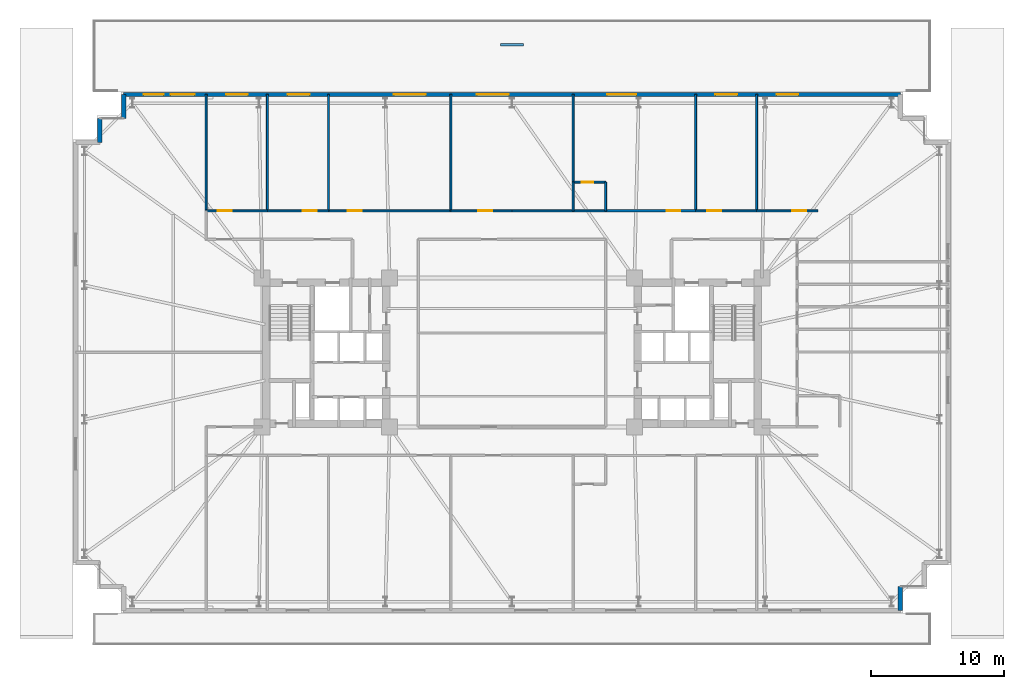
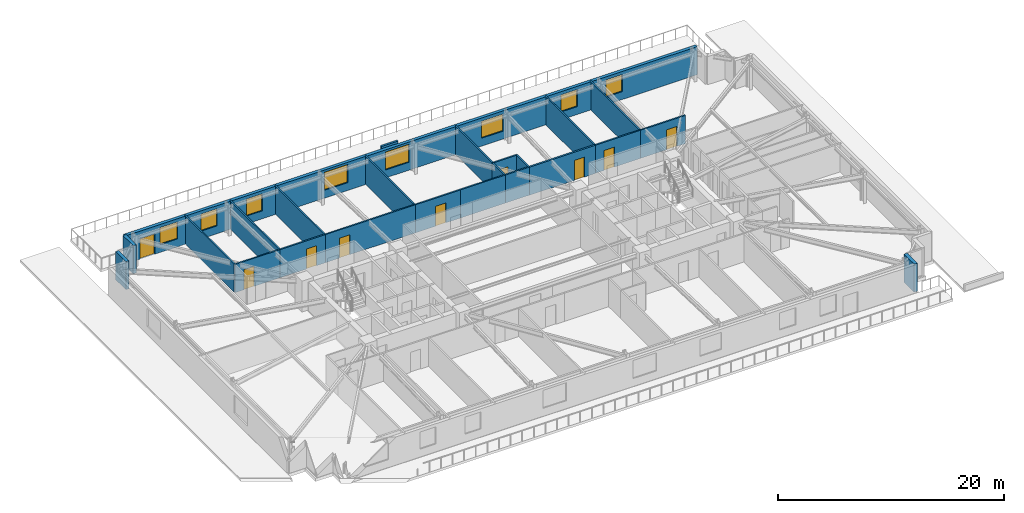
# One storey, part 15 of 21: 24 walls, 9 doors, 8 windows, 17 openings.
"""IFC4 building model written with IfcOpenShell, lengths in metres."""

from ifc_helpers import new_model, si_unit, direction, frame, frame_2d, origin, place, context, subcontext, project, spatial, rectangle, extrude, material, layer, layer_set, type_object, element, fill, save


model = new_model("IFC4")

# Units and contexts
model_context = context("Model", 3, precision=1e-05, world=origin(), true_north=direction((0.0, 1.0)))
body_context = subcontext(model_context, "Body", "Model", "MODEL_VIEW")
ifc_project = project(units=[si_unit("LENGTHUNIT", "METRE"), si_unit("AREAUNIT", "SQUARE_METRE"), si_unit("VOLUMEUNIT", "CUBIC_METRE"), si_unit("PLANEANGLEUNIT", "RADIAN"), si_unit("MASSUNIT", "GRAM", prefix="KILO")], contexts=[model_context])

# Site, building, storey
site_placement = place(None, origin())
site = spatial("IfcSite", under=ifc_project, at=site_placement, CompositionType="ELEMENT")
building_placement = place(site_placement, origin())
building = spatial("IfcBuilding", under=site, at=building_placement, Name="Qobustan Lattice House", CompositionType="ELEMENT")
storey_placement = place(building_placement, frame((0.0, 0.0, 27.0)))
storey = spatial("IfcBuildingStorey", under=building, at=storey_placement, Name="L06", CompositionType="ELEMENT", Elevation=27.0)

# Walls
ifc_material_1 = material(Name="Precast concrete C40/50", Category="concrete")
ifc_layer_1 = layer(ifc_material_1, 0.320068359375)
ifc_layer_set_1 = layer_set([ifc_layer_1], Name="Precast concrete C40/50")
wall_type_1 = type_object("IfcWallType", Name="WAL-EXT-STONE-320", PredefinedType="SOLIDWALL", material=ifc_layer_set_1)
wall_1_placement = place(storey_placement, frame((-31.0, 15.800048828125, 0.0), z_axis=(0.0, 0.0, 1.0), x_axis=(0.0, 1.0, 0.0)))
element("IfcWall", 1, at=wall_1_placement, inside=storey, type_object=wall_type_1, Name="L06 exterior limestone-clad wall 7", PredefinedType="SOLIDWALL", context=body_context, shape_type="SweptSolid", body=[
    extrude(rectangle(XDim=1.800048828125, YDim=0.320068359375, at=frame_2d((0.89990234375, 0.0))), origin(), (0.0, 0.0, 1.0), 3.034912109375),
])
wall_2_placement = place(storey_placement, frame((-29.199951171875, 17.60009765625, 0.0), z_axis=(0.0, 0.0, 1.0), x_axis=(0.0, 1.0, 0.0)))
element("IfcWall", 2, at=wall_2_placement, inside=storey, type_object=wall_type_1, Name="L06 exterior limestone-clad wall 9", PredefinedType="SOLIDWALL", context=body_context, shape_type="SweptSolid", body=[
    extrude(rectangle(XDim=1.7998046875, YDim=0.320068359375, at=frame_2d((0.89990234375, 0.0))), origin(), (0.0, 0.0, 1.0), 3.034912109375),
])

# Wall, openings, door, windows
wall_3_placement = place(storey_placement, frame((-29.199951171875, 19.39990234375, 0.0), z_axis=(0.0, 0.0, 1.0), x_axis=(1.0, 0.0, 0.0)))
wall_3 = element("IfcWall", 3, at=wall_3_placement, inside=storey, type_object=wall_type_1, Name="L06 exterior limestone-clad wall 10", PredefinedType="SOLIDWALL", context=body_context, shape_type="SweptSolid", body=[
    extrude(rectangle(XDim=58.39990234375, YDim=0.320068359375, at=frame_2d((29.199951171875, 0.0))), origin(), (0.0, 0.0, 1.0), 3.034912109375),
])
opening_1_placement = place(wall_3_placement, frame((1.5, 0.0, 0.0)))
opening_1 = element("IfcOpeningElement", 4, at=opening_1_placement, cuts=wall_3, Name="Opening TD-02", PredefinedType="OPENING", context=body_context, shape_type="SweptSolid", body=[
    extrude(rectangle(XDim=1.5, YDim=2.199951171875, at=frame_2d((0.75, 1.10009765625))), frame((0.0, 0.169921875, 0.0), z_axis=(0.0, -1.0, 0.0), x_axis=(1.0, 0.0, 0.0)), (0.0, 0.0, 1.0), 0.340087890625),
])
opening_2_placement = place(wall_3_placement, frame((3.531005859375, 0.0, 0.85009765625)))
opening_2 = element("IfcOpeningElement", 5, at=opening_2_placement, cuts=wall_3, Name="Opening WN-02", PredefinedType="OPENING", context=body_context, shape_type="SweptSolid", body=[
    extrude(rectangle(XDim=1.800048828125, YDim=1.85009765625, at=frame_2d((0.89990234375, 0.925048828125))), frame((0.0, 0.169921875, 0.0), z_axis=(0.0, -1.0, 0.0), x_axis=(1.0, 0.0, 0.0)), (0.0, 0.0, 1.0), 0.340087890625),
])
opening_3_placement = place(wall_3_placement, frame((7.695068359375, 0.0, 0.85009765625)))
opening_3 = element("IfcOpeningElement", 6, at=opening_3_placement, cuts=wall_3, Name="Opening WN-09", PredefinedType="OPENING", context=body_context, shape_type="SweptSolid", body=[
    extrude(rectangle(XDim=1.64990234375, YDim=1.85009765625, at=frame_2d((0.824951171875, 0.925048828125))), frame((0.0, 0.169921875, 0.0), z_axis=(0.0, -1.0, 0.0), x_axis=(1.0, 0.0, 0.0)), (0.0, 0.0, 1.0), 0.340087890625),
])
opening_4_placement = place(wall_3_placement, frame((12.3349609375, 0.0, 0.85009765625)))
opening_4 = element("IfcOpeningElement", 7, at=opening_4_placement, cuts=wall_3, Name="Opening WN-09", PredefinedType="OPENING", context=body_context, shape_type="SweptSolid", body=[
    extrude(rectangle(XDim=1.64990234375, YDim=1.85009765625, at=frame_2d((0.824951171875, 0.925048828125))), frame((0.0, 0.169921875, 0.0), z_axis=(0.0, -1.0, 0.0), x_axis=(1.0, 0.0, 0.0)), (0.0, 0.0, 1.0), 0.340087890625),
])
opening_5_placement = place(wall_3_placement, frame((20.31494140625, 0.0, 0.85009765625)))
opening_5 = element("IfcOpeningElement", 8, at=opening_5_placement, cuts=wall_3, Name="Opening WN-10", PredefinedType="OPENING", context=body_context, shape_type="SweptSolid", body=[
    extrude(rectangle(XDim=2.39990234375, YDim=1.949951171875, at=frame_2d((1.199951171875, 0.97509765625))), frame((0.0, 0.169921875, 0.0), z_axis=(0.0, -1.0, 0.0), x_axis=(1.0, 0.0, 0.0)), (0.0, 0.0, 1.0), 0.340087890625),
])
opening_6_placement = place(wall_3_placement, frame((26.56494140625, 0.0, 0.85009765625)))
opening_6 = element("IfcOpeningElement", 9, at=opening_6_placement, cuts=wall_3, Name="Opening WN-10", PredefinedType="OPENING", context=body_context, shape_type="SweptSolid", body=[
    extrude(rectangle(XDim=2.39990234375, YDim=1.949951171875, at=frame_2d((1.199951171875, 0.97509765625))), frame((0.0, 0.169921875, 0.0), z_axis=(0.0, -1.0, 0.0), x_axis=(1.0, 0.0, 0.0)), (0.0, 0.0, 1.0), 0.340087890625),
])
opening_7_placement = place(wall_3_placement, frame((36.35595703125, 0.0, 0.85009765625)))
opening_7 = element("IfcOpeningElement", 10, at=opening_7_placement, cuts=wall_3, Name="Opening WN-03", PredefinedType="OPENING", context=body_context, shape_type="SweptSolid", body=[
    extrude(rectangle(XDim=2.199951171875, YDim=1.85009765625, at=frame_2d((1.10009765625, 0.925048828125))), frame((0.0, 0.169921875, 0.0), z_axis=(0.0, -1.0, 0.0), x_axis=(1.0, 0.0, 0.0)), (0.0, 0.0, 1.0), 0.340087890625),
])
opening_8_placement = place(wall_3_placement, frame((44.4951171875, 0.0, 0.85009765625)))
opening_8 = element("IfcOpeningElement", 11, at=opening_8_placement, cuts=wall_3, Name="Opening WN-09", PredefinedType="OPENING", context=body_context, shape_type="SweptSolid", body=[
    extrude(rectangle(XDim=1.64990234375, YDim=1.85009765625, at=frame_2d((0.824951171875, 0.925048828125))), frame((0.0, 0.169921875, 0.0), z_axis=(0.0, -1.0, 0.0), x_axis=(1.0, 0.0, 0.0)), (0.0, 0.0, 1.0), 0.340087890625),
])
opening_9_placement = place(wall_3_placement, frame((49.094970703125, 0.0, 0.85009765625)))
opening_9 = element("IfcOpeningElement", 12, at=opening_9_placement, cuts=wall_3, Name="Opening WN-09", PredefinedType="OPENING", context=body_context, shape_type="SweptSolid", body=[
    extrude(rectangle(XDim=1.64990234375, YDim=1.85009765625, at=frame_2d((0.824951171875, 0.925048828125))), frame((0.0, 0.169921875, 0.0), z_axis=(0.0, -1.0, 0.0), x_axis=(1.0, 0.0, 0.0)), (0.0, 0.0, 1.0), 0.340087890625),
])
ifc_material_2 = material(Name="Thermally broken anodised aluminium glazed door", Category="aluminium")
door_type_1 = type_object("IfcDoorType", Name="DOR-EXT-GARD-1500x2200", OperationType="NOTDEFINED", PredefinedType="DOOR", material=ifc_material_2)
door_1_placement = place(opening_1_placement, origin())
door_1 = element("IfcDoor", 13, at=door_1_placement, inside=storey, type_object=door_type_1, Name="L06 outdoor terrace access door", OperationType="SINGLE_SWING_LEFT", OverallHeight=2.199951171875, OverallWidth=1.5, PredefinedType="DOOR", context=body_context, shape_type="SweptSolid", body=[
    extrude(rectangle(XDim=1.5, YDim=2.199951171875, at=frame_2d((0.75, 1.10009765625))), frame((0.0, 0.02490234375, 0.0), z_axis=(0.0, -1.0, 0.0), x_axis=(1.0, 0.0, 0.0)), (0.0, 0.0, 1.0), 0.050048828125),
])
fill(opening_1, door_1)
ifc_material_3 = material(Name="Double-glazed low-E aluminium window", Category="aluminium")
window_type_1 = type_object("IfcWindowType", Name="WIN-LNG-2400x1950", PartitioningType="SINGLE_PANEL", PredefinedType="WINDOW", material=ifc_material_3)
window_1_placement = place(opening_5_placement, origin())
window_1 = element("IfcWindow", 14, at=window_1_placement, inside=storey, type_object=window_type_1, Name="L06 Sky terrace lounge N2 window", OverallHeight=1.949951171875, OverallWidth=2.39990234375, PartitioningType="SINGLE_PANEL", PredefinedType="WINDOW", context=body_context, shape_type="SweptSolid", body=[
    extrude(rectangle(XDim=2.39990234375, YDim=1.949951171875, at=frame_2d((1.199951171875, 0.97509765625))), frame((0.0, 0.030029296875, 0.0), z_axis=(0.0, -1.0, 0.0), x_axis=(1.0, 0.0, 0.0)), (0.0, 0.0, 1.0), 0.06005859375),
])
fill(opening_5, window_1)
window_2_placement = place(opening_6_placement, origin())
window_2 = element("IfcWindow", 15, at=window_2_placement, inside=storey, type_object=window_type_1, Name="L06 Garden terrace reading salon N3 window", OverallHeight=1.949951171875, OverallWidth=2.39990234375, PartitioningType="SINGLE_PANEL", PredefinedType="WINDOW", context=body_context, shape_type="SweptSolid", body=[
    extrude(rectangle(XDim=2.39990234375, YDim=1.949951171875, at=frame_2d((1.199951171875, 0.97509765625))), frame((0.0, 0.030029296875, 0.0), z_axis=(0.0, -1.0, 0.0), x_axis=(1.0, 0.0, 0.0)), (0.0, 0.0, 1.0), 0.06005859375),
])
fill(opening_6, window_2)
ifc_material_4 = material(Name="Double-glazed low-E aluminium window", Category="aluminium")
window_type_2 = type_object("IfcWindowType", Name="WIN-STD-1800x1850", PartitioningType="SINGLE_PANEL", PredefinedType="WINDOW", material=ifc_material_4)
window_3_placement = place(opening_2_placement, origin())
window_3 = element("IfcWindow", 16, at=window_3_placement, inside=storey, type_object=window_type_2, Name="L06 Chahar-bagh north lounge window", OverallHeight=1.85009765625, OverallWidth=1.800048828125, PartitioningType="SINGLE_PANEL", PredefinedType="WINDOW", context=body_context, shape_type="SweptSolid", body=[
    extrude(rectangle(XDim=1.800048828125, YDim=1.85009765625, at=frame_2d((0.89990234375, 0.925048828125))), frame((0.0, 0.030029296875, 0.0), z_axis=(0.0, -1.0, 0.0), x_axis=(1.0, 0.0, 0.0)), (0.0, 0.0, 1.0), 0.06005859375),
])
fill(opening_2, window_3)
ifc_material_5 = material(Name="Double-glazed low-E aluminium window", Category="aluminium")
window_type_3 = type_object("IfcWindowType", Name="WIN-STU-1650x1850", PartitioningType="SINGLE_PANEL", PredefinedType="WINDOW", material=ifc_material_5)
window_4_placement = place(opening_3_placement, origin())
window_4 = element("IfcWindow", 17, at=window_4_placement, inside=storey, type_object=window_type_3, Name="L06 Focus study room N1A window", OverallHeight=1.85009765625, OverallWidth=1.64990234375, PartitioningType="SINGLE_PANEL", PredefinedType="WINDOW", context=body_context, shape_type="SweptSolid", body=[
    extrude(rectangle(XDim=1.64990234375, YDim=1.85009765625, at=frame_2d((0.824951171875, 0.925048828125))), frame((0.0, 0.030029296875, 0.0), z_axis=(0.0, -1.0, 0.0), x_axis=(1.0, 0.0, 0.0)), (0.0, 0.0, 1.0), 0.06005859375),
])
fill(opening_3, window_4)
window_5_placement = place(opening_4_placement, origin())
window_5 = element("IfcWindow", 18, at=window_5_placement, inside=storey, type_object=window_type_3, Name="L06 Focus study room N1B window", OverallHeight=1.85009765625, OverallWidth=1.64990234375, PartitioningType="SINGLE_PANEL", PredefinedType="WINDOW", context=body_context, shape_type="SweptSolid", body=[
    extrude(rectangle(XDim=1.64990234375, YDim=1.85009765625, at=frame_2d((0.824951171875, 0.925048828125))), frame((0.0, 0.030029296875, 0.0), z_axis=(0.0, -1.0, 0.0), x_axis=(1.0, 0.0, 0.0)), (0.0, 0.0, 1.0), 0.06005859375),
])
fill(opening_4, window_5)
window_6_placement = place(opening_8_placement, origin())
window_6 = element("IfcWindow", 19, at=window_6_placement, inside=storey, type_object=window_type_3, Name="L06 Focus study room N5A window", OverallHeight=1.85009765625, OverallWidth=1.64990234375, PartitioningType="SINGLE_PANEL", PredefinedType="WINDOW", context=body_context, shape_type="SweptSolid", body=[
    extrude(rectangle(XDim=1.64990234375, YDim=1.85009765625, at=frame_2d((0.824951171875, 0.925048828125))), frame((0.0, 0.030029296875, 0.0), z_axis=(0.0, -1.0, 0.0), x_axis=(1.0, 0.0, 0.0)), (0.0, 0.0, 1.0), 0.06005859375),
])
fill(opening_8, window_6)
window_7_placement = place(opening_9_placement, origin())
window_7 = element("IfcWindow", 20, at=window_7_placement, inside=storey, type_object=window_type_3, Name="L06 Focus study room N5B window", OverallHeight=1.85009765625, OverallWidth=1.64990234375, PartitioningType="SINGLE_PANEL", PredefinedType="WINDOW", context=body_context, shape_type="SweptSolid", body=[
    extrude(rectangle(XDim=1.64990234375, YDim=1.85009765625, at=frame_2d((0.824951171875, 0.925048828125))), frame((0.0, 0.030029296875, 0.0), z_axis=(0.0, -1.0, 0.0), x_axis=(1.0, 0.0, 0.0)), (0.0, 0.0, 1.0), 0.06005859375),
])
fill(opening_9, window_7)
ifc_material_6 = material(Name="Double-glazed low-E aluminium window", Category="aluminium")
window_type_4 = type_object("IfcWindowType", Name="WIN-WIDE-2200x1850", PartitioningType="SINGLE_PANEL", PredefinedType="WINDOW", material=ifc_material_6)
window_8_placement = place(opening_7_placement, origin())
window_8 = element("IfcWindow", 21, at=window_8_placement, inside=storey, type_object=window_type_4, Name="L06 Kitchenette and studio apartment L06-N4 window", OverallHeight=1.85009765625, OverallWidth=2.199951171875, PartitioningType="SINGLE_PANEL", PredefinedType="WINDOW", context=body_context, shape_type="SweptSolid", body=[
    extrude(rectangle(XDim=2.199951171875, YDim=1.85009765625, at=frame_2d((1.10009765625, 0.925048828125))), frame((0.0, 0.030029296875, 0.0), z_axis=(0.0, -1.0, 0.0), x_axis=(1.0, 0.0, 0.0)), (0.0, 0.0, 1.0), 0.06005859375),
])
fill(opening_7, window_8)

# Wall
wall_4_placement = place(storey_placement, frame((29.199951171875, -17.60009765625, 0.0), z_axis=(0.0, 0.0, 1.0), x_axis=(0.0, -1.0, 0.0)))
element("IfcWall", 22, at=wall_4_placement, inside=storey, type_object=wall_type_1, Name="L06 exterior limestone-clad wall 19", PredefinedType="SOLIDWALL", context=body_context, shape_type="SweptSolid", body=[
    extrude(rectangle(XDim=1.7998046875, YDim=0.320068359375, at=frame_2d((0.89990234375, 0.0))), origin(), (0.0, 0.0, 1.0), 3.034912109375),
])

# Wall, opening, door
ifc_material_7 = material(Name="Gypsum fireboard acoustic partition", Category="gypsum")
ifc_layer_2 = layer(ifc_material_7, 0.179931640625)
ifc_layer_set_2 = layer_set([ifc_layer_2], Name="Gypsum fireboard acoustic partition")
wall_type_2 = type_object("IfcWallType", Name="WAL-FIRE-180", PredefinedType="PARTITIONING", material=ifc_layer_set_2)
wall_5_placement = place(storey_placement, frame((7.050048828125, 10.64990234375, 0.0), z_axis=(0.0, 0.0, 1.0), x_axis=(1.0, 0.0, 0.0)))
wall_5 = element("IfcWall", 23, at=wall_5_placement, inside=storey, type_object=wall_type_2, Name="L06 interior partition 48", PredefinedType="PARTITIONING", context=body_context, shape_type="SweptSolid", body=[
    extrude(rectangle(XDim=6.75, YDim=0.179931640625, at=frame_2d((3.375, 0.0))), origin(), (0.0, 0.0, 1.0), 3.034912109375),
])
opening_10_placement = place(wall_5_placement, frame((4.59619140625, 0.0, 0.0)))
opening_10 = element("IfcOpeningElement", 24, at=opening_10_placement, cuts=wall_5, Name="Opening FD-02", PredefinedType="OPENING", context=body_context, shape_type="SweptSolid", body=[
    extrude(rectangle(XDim=1.0, YDim=2.14990234375, at=frame_2d((0.5, 1.074951171875))), frame((0.0, 0.099853515625, 0.0), z_axis=(0.0, -1.0, 0.0), x_axis=(1.0, 0.0, 0.0)), (0.0, 0.0, 1.0), 0.199951171875),
])
ifc_material_8 = material(Name="Persian walnut timber and steel frame door", Category="steel")
door_type_2 = type_object("IfcDoorType", Name="DOR-UNIT-FD-1000x2150", OperationType="NOTDEFINED", PredefinedType="DOOR", material=ifc_material_8)
door_2_placement = place(opening_10_placement, origin())
door_2 = element("IfcDoor", 25, at=door_2_placement, inside=storey, type_object=door_type_2, Name="L06 North-east floor corridor to Kitchenette and studio apartment L06-N4 door", OperationType="SINGLE_SWING_LEFT", OverallHeight=2.14990234375, OverallWidth=1.0, PredefinedType="DOOR", context=body_context, shape_type="SweptSolid", body=[
    extrude(rectangle(XDim=1.0, YDim=2.14990234375, at=frame_2d((0.5, 1.074951171875))), frame((0.0, 0.02490234375, 0.0), z_axis=(0.0, -1.0, 0.0), x_axis=(1.0, 0.0, 0.0)), (0.0, 0.0, 1.0), 0.050048828125),
])
fill(opening_10, door_2)

ifc_material_9 = material(Name="Acoustic twin-stud gypsum partition", Category="gypsum")
ifc_layer_3 = layer(ifc_material_9, 0.14990234375)
ifc_layer_set_3 = layer_set([ifc_layer_3], Name="Acoustic twin-stud gypsum partition")
wall_type_3 = type_object("IfcWallType", Name="WAL-PART-150", PredefinedType="PARTITIONING", material=ifc_layer_set_3)
wall_6_placement = place(storey_placement, frame((-23.0, 10.64990234375, 0.0), z_axis=(0.0, 0.0, 1.0), x_axis=(1.0, 0.0, 0.0)))
wall_6 = element("IfcWall", 26, at=wall_6_placement, inside=storey, type_object=wall_type_3, Name="L06 interior partition 40", PredefinedType="PARTITIONING", context=body_context, shape_type="SweptSolid", body=[
    extrude(rectangle(XDim=4.60009765625, YDim=0.14990234375, at=frame_2d((2.300048828125, 0.0))), origin(), (0.0, 0.0, 1.0), 3.034912109375),
])
opening_11_placement = place(wall_6_placement, frame((0.87890625, 0.0, 0.0)))
opening_11 = element("IfcOpeningElement", 27, at=opening_11_placement, cuts=wall_6, Name="Opening ID-02", PredefinedType="OPENING", context=body_context, shape_type="SweptSolid", body=[
    extrude(rectangle(XDim=1.050048828125, YDim=2.14990234375, at=frame_2d((0.52490234375, 1.074951171875))), frame((0.0, 0.0849609375, 0.0), z_axis=(0.0, -1.0, 0.0), x_axis=(1.0, 0.0, 0.0)), (0.0, 0.0, 1.0), 0.169921875),
])
ifc_material_10 = material(Name="Persian walnut timber and steel frame door", Category="steel")
door_type_3 = type_object("IfcDoorType", Name="DOR-STUDY-1050x2150", OperationType="NOTDEFINED", PredefinedType="DOOR", material=ifc_material_10)
door_3_placement = place(opening_11_placement, origin())
door_3 = element("IfcDoor", 28, at=door_3_placement, inside=storey, type_object=door_type_3, Name="L06 North-west floor corridor to Focus study room N1A door", OperationType="SINGLE_SWING_LEFT", OverallHeight=2.14990234375, OverallWidth=1.050048828125, PredefinedType="DOOR", context=body_context, shape_type="SweptSolid", body=[
    extrude(rectangle(XDim=1.050048828125, YDim=2.14990234375, at=frame_2d((0.52490234375, 1.074951171875))), frame((0.0, 0.02490234375, 0.0), z_axis=(0.0, -1.0, 0.0), x_axis=(1.0, 0.0, 0.0)), (0.0, 0.0, 1.0), 0.050048828125),
])
fill(opening_11, door_3)

wall_7_placement = place(storey_placement, frame((-18.39990234375, 10.64990234375, 0.0), z_axis=(0.0, 0.0, 1.0), x_axis=(1.0, 0.0, 0.0)))
wall_7 = element("IfcWall", 29, at=wall_7_placement, inside=storey, type_object=wall_type_3, Name="L06 interior partition 41", PredefinedType="PARTITIONING", context=body_context, shape_type="SweptSolid", body=[
    extrude(rectangle(XDim=4.599853515625, YDim=0.14990234375, at=frame_2d((2.2998046875, 0.0))), origin(), (0.0, 0.0, 1.0), 3.034912109375),
])
opening_12_placement = place(wall_7_placement, frame((2.671142578125, 0.0, 0.0)))
opening_12 = element("IfcOpeningElement", 30, at=opening_12_placement, cuts=wall_7, Name="Opening ID-02", PredefinedType="OPENING", context=body_context, shape_type="SweptSolid", body=[
    extrude(rectangle(XDim=1.050048828125, YDim=2.14990234375, at=frame_2d((0.52490234375, 1.074951171875))), frame((0.0, 0.0849609375, 0.0), z_axis=(0.0, -1.0, 0.0), x_axis=(1.0, 0.0, 0.0)), (0.0, 0.0, 1.0), 0.169921875),
])
door_4_placement = place(opening_12_placement, origin())
door_4 = element("IfcDoor", 31, at=door_4_placement, inside=storey, type_object=door_type_3, Name="L06 North-west floor corridor to Focus study room N1B door", OperationType="SINGLE_SWING_RIGHT", OverallHeight=2.14990234375, OverallWidth=1.050048828125, PredefinedType="DOOR", context=body_context, shape_type="SweptSolid", body=[
    extrude(rectangle(XDim=1.050048828125, YDim=2.14990234375, at=frame_2d((0.52490234375, 1.074951171875))), frame((0.0, 0.02490234375, 0.0), z_axis=(0.0, -1.0, 0.0), x_axis=(1.0, 0.0, 0.0)), (0.0, 0.0, 1.0), 0.050048828125),
])
fill(opening_12, door_4)

wall_8_placement = place(storey_placement, frame((-13.800048828125, 10.64990234375, 0.0), z_axis=(0.0, 0.0, 1.0), x_axis=(1.0, 0.0, 0.0)))
wall_8 = element("IfcWall", 32, at=wall_8_placement, inside=storey, type_object=wall_type_3, Name="L06 interior partition 42", PredefinedType="PARTITIONING", context=body_context, shape_type="SweptSolid", body=[
    extrude(rectangle(XDim=9.199951171875, YDim=0.14990234375, at=frame_2d((4.60009765625, 0.0))), origin(), (0.0, 0.0, 1.0), 3.034912109375),
])
opening_13_placement = place(wall_8_placement, frame((1.45361328125, 0.0, 0.0)))
opening_13 = element("IfcOpeningElement", 33, at=opening_13_placement, cuts=wall_8, Name="Opening ID-02", PredefinedType="OPENING", context=body_context, shape_type="SweptSolid", body=[
    extrude(rectangle(XDim=1.050048828125, YDim=2.14990234375, at=frame_2d((0.52490234375, 1.074951171875))), frame((0.0, 0.0849609375, 0.0), z_axis=(0.0, -1.0, 0.0), x_axis=(1.0, 0.0, 0.0)), (0.0, 0.0, 1.0), 0.169921875),
])
door_5_placement = place(opening_13_placement, origin())
door_5 = element("IfcDoor", 34, at=door_5_placement, inside=storey, type_object=door_type_3, Name="L06 North-west floor corridor to Sky terrace lounge N2 door", OperationType="SINGLE_SWING_LEFT", OverallHeight=2.14990234375, OverallWidth=1.050048828125, PredefinedType="DOOR", context=body_context, shape_type="SweptSolid", body=[
    extrude(rectangle(XDim=1.050048828125, YDim=2.14990234375, at=frame_2d((0.52490234375, 1.074951171875))), frame((0.0, 0.02490234375, 0.0), z_axis=(0.0, -1.0, 0.0), x_axis=(1.0, 0.0, 0.0)), (0.0, 0.0, 1.0), 0.050048828125),
])
fill(opening_13, door_5)

wall_9_placement = place(storey_placement, frame((-4.60009765625, 10.64990234375, 0.0), z_axis=(0.0, 0.0, 1.0), x_axis=(1.0, 0.0, 0.0)))
wall_9 = element("IfcWall", 35, at=wall_9_placement, inside=storey, type_object=wall_type_3, Name="L06 interior partition 43", PredefinedType="PARTITIONING", context=body_context, shape_type="SweptSolid", body=[
    extrude(rectangle(XDim=4.60009765625, YDim=0.14990234375, at=frame_2d((2.300048828125, 0.0))), origin(), (0.0, 0.0, 1.0), 3.034912109375),
])
opening_14_placement = place(wall_9_placement, frame((2.07373046875, 0.0, 0.0)))
opening_14 = element("IfcOpeningElement", 36, at=opening_14_placement, cuts=wall_9, Name="Opening ID-02", PredefinedType="OPENING", context=body_context, shape_type="SweptSolid", body=[
    extrude(rectangle(XDim=1.050048828125, YDim=2.14990234375, at=frame_2d((0.52490234375, 1.074951171875))), frame((0.0, 0.0849609375, 0.0), z_axis=(0.0, -1.0, 0.0), x_axis=(1.0, 0.0, 0.0)), (0.0, 0.0, 1.0), 0.169921875),
])
door_6_placement = place(opening_14_placement, origin())
door_6 = element("IfcDoor", 37, at=door_6_placement, inside=storey, type_object=door_type_3, Name="L06 North-west floor corridor to Garden terrace reading salon N3 door", OperationType="SINGLE_SWING_RIGHT", OverallHeight=2.14990234375, OverallWidth=1.050048828125, PredefinedType="DOOR", context=body_context, shape_type="SweptSolid", body=[
    extrude(rectangle(XDim=1.050048828125, YDim=2.14990234375, at=frame_2d((0.52490234375, 1.074951171875))), frame((0.0, 0.02490234375, 0.0), z_axis=(0.0, -1.0, 0.0), x_axis=(1.0, 0.0, 0.0)), (0.0, 0.0, 1.0), 0.050048828125),
])
fill(opening_14, door_6)

# Wall
wall_10_placement = place(storey_placement, frame((0.0, 10.64990234375, 0.0), z_axis=(0.0, 0.0, 1.0), x_axis=(1.0, 0.0, 0.0)))
element("IfcWall", 38, at=wall_10_placement, inside=storey, type_object=wall_type_3, Name="L06 interior partition 47", PredefinedType="PARTITIONING", context=body_context, shape_type="SweptSolid", body=[
    extrude(rectangle(XDim=4.60009765625, YDim=0.14990234375, at=frame_2d((2.300048828125, 0.0))), origin(), (0.0, 0.0, 1.0), 3.034912109375),
])

# Wall, opening, door
wall_11_placement = place(storey_placement, frame((13.800048828125, 10.64990234375, 0.0), z_axis=(0.0, 0.0, 1.0), x_axis=(1.0, 0.0, 0.0)))
wall_11 = element("IfcWall", 39, at=wall_11_placement, inside=storey, type_object=wall_type_3, Name="L06 interior partition 50", PredefinedType="PARTITIONING", context=body_context, shape_type="SweptSolid", body=[
    extrude(rectangle(XDim=4.599853515625, YDim=0.14990234375, at=frame_2d((2.2998046875, 0.0))), origin(), (0.0, 0.0, 1.0), 3.034912109375),
])
opening_15_placement = place(wall_11_placement, frame((0.878662109375, 0.0, 0.0)))
opening_15 = element("IfcOpeningElement", 40, at=opening_15_placement, cuts=wall_11, Name="Opening ID-02", PredefinedType="OPENING", context=body_context, shape_type="SweptSolid", body=[
    extrude(rectangle(XDim=1.050048828125, YDim=2.14990234375, at=frame_2d((0.52490234375, 1.074951171875))), frame((0.0, 0.0849609375, 0.0), z_axis=(0.0, -1.0, 0.0), x_axis=(1.0, 0.0, 0.0)), (0.0, 0.0, 1.0), 0.169921875),
])
door_7_placement = place(opening_15_placement, origin())
door_7 = element("IfcDoor", 41, at=door_7_placement, inside=storey, type_object=door_type_3, Name="L06 North-east floor corridor to Focus study room N5A door", OperationType="SINGLE_SWING_RIGHT", OverallHeight=2.14990234375, OverallWidth=1.050048828125, PredefinedType="DOOR", context=body_context, shape_type="SweptSolid", body=[
    extrude(rectangle(XDim=1.050048828125, YDim=2.14990234375, at=frame_2d((0.52490234375, 1.074951171875))), frame((0.0, 0.02490234375, 0.0), z_axis=(0.0, -1.0, 0.0), x_axis=(1.0, 0.0, 0.0)), (0.0, 0.0, 1.0), 0.050048828125),
])
fill(opening_15, door_7)

wall_12_placement = place(storey_placement, frame((18.39990234375, 10.64990234375, 0.0), z_axis=(0.0, 0.0, 1.0), x_axis=(1.0, 0.0, 0.0)))
wall_12 = element("IfcWall", 42, at=wall_12_placement, inside=storey, type_object=wall_type_3, Name="L06 interior partition 51", PredefinedType="PARTITIONING", context=body_context, shape_type="SweptSolid", body=[
    extrude(rectangle(XDim=4.60009765625, YDim=0.14990234375, at=frame_2d((2.300048828125, 0.0))), origin(), (0.0, 0.0, 1.0), 3.034912109375),
])
opening_16_placement = place(wall_12_placement, frame((2.67138671875, 0.0, 0.0)))
opening_16 = element("IfcOpeningElement", 43, at=opening_16_placement, cuts=wall_12, Name="Opening ID-02", PredefinedType="OPENING", context=body_context, shape_type="SweptSolid", body=[
    extrude(rectangle(XDim=1.050048828125, YDim=2.14990234375, at=frame_2d((0.52490234375, 1.074951171875))), frame((0.0, 0.0849609375, 0.0), z_axis=(0.0, -1.0, 0.0), x_axis=(1.0, 0.0, 0.0)), (0.0, 0.0, 1.0), 0.169921875),
])
door_8_placement = place(opening_16_placement, origin())
door_8 = element("IfcDoor", 44, at=door_8_placement, inside=storey, type_object=door_type_3, Name="L06 North-east floor corridor to Focus study room N5B door", OperationType="SINGLE_SWING_LEFT", OverallHeight=2.14990234375, OverallWidth=1.050048828125, PredefinedType="DOOR", context=body_context, shape_type="SweptSolid", body=[
    extrude(rectangle(XDim=1.050048828125, YDim=2.14990234375, at=frame_2d((0.52490234375, 1.074951171875))), frame((0.0, 0.02490234375, 0.0), z_axis=(0.0, -1.0, 0.0), x_axis=(1.0, 0.0, 0.0)), (0.0, 0.0, 1.0), 0.050048828125),
])
fill(opening_16, door_8)

# Walls
for number, where, z_axis, x_axis, name in (
    (45, (-23.0, 19.39990234375, 0.0), (0.0, 0.0, 1.0), (0.0, -1.0, 0.0), "L06 interior partition 74"),
    (46, (-18.39990234375, 19.39990234375, 0.0), (0.0, 0.0, 1.0), (0.0, -1.0, 0.0), "L06 interior partition 89"),
    (47, (-13.800048828125, 19.39990234375, 0.0), (0.0, 0.0, 1.0), (0.0, -1.0, 0.0), "L06 interior partition 90"),
    (48, (-4.60009765625, 19.39990234375, 0.0), (0.0, 0.0, 1.0), (0.0, -1.0, 0.0), "L06 interior partition 91"),
):
    element("IfcWall", number, at=place(storey_placement, frame(where, z_axis=z_axis, x_axis=x_axis)), inside=storey, type_object=wall_type_3, Name=name, PredefinedType="PARTITIONING", context=body_context, shape_type="SweptSolid", body=[
        extrude(rectangle(XDim=8.75, YDim=0.14990234375, at=frame_2d((4.375, 0.0))), origin(), (0.0, 0.0, 1.0), 3.034912109375),
    ])
wall_13_placement = place(storey_placement, frame((4.60009765625, 19.39990234375, 0.0), z_axis=(0.0, 0.0, 1.0), x_axis=(0.0, -1.0, 0.0)))
element("IfcWall", 49, at=wall_13_placement, inside=storey, type_object=wall_type_3, Name="L06 interior partition 92", PredefinedType="PARTITIONING", context=body_context, shape_type="SweptSolid", body=[
    extrude(rectangle(XDim=6.599853515625, YDim=0.14990234375, at=frame_2d((3.2998046875, 0.0))), origin(), (0.0, 0.0, 1.0), 3.034912109375),
])
for number, where, z_axis, x_axis, name in (
    (50, (13.800048828125, 19.39990234375, 0.0), (0.0, 0.0, 1.0), (0.0, -1.0, 0.0), "L06 interior partition 96"),
    (51, (18.39990234375, 19.39990234375, 0.0), (0.0, 0.0, 1.0), (0.0, -1.0, 0.0), "L06 interior partition 97"),
):
    element("IfcWall", number, at=place(storey_placement, frame(where, z_axis=z_axis, x_axis=x_axis)), inside=storey, type_object=wall_type_3, Name=name, PredefinedType="PARTITIONING", context=body_context, shape_type="SweptSolid", body=[
        extrude(rectangle(XDim=8.75, YDim=0.14990234375, at=frame_2d((4.375, 0.0))), origin(), (0.0, 0.0, 1.0), 3.034912109375),
    ])
ifc_material_11 = material(Name="Qobustan buff limestone", Category="masonry")
ifc_layer_4 = layer(ifc_material_11, 0.199951171875)
ifc_layer_set_4 = layer_set([ifc_layer_4], Name="Qobustan buff limestone")
wall_type_4 = type_object("IfcWallType", Name="WAL-PLANTER-200", PredefinedType="USERDEFINED", material=ifc_layer_set_4)
wall_14_placement = place(storey_placement, frame((-0.85009765625, 23.14990234375, 0.0), z_axis=(0.0, 0.0, 1.0), x_axis=(1.0, 0.0, 0.0)))
element("IfcWall", 52, at=wall_14_placement, inside=storey, type_object=wall_type_4, Name="L06 planted terrace stone planter", ObjectType="PLANTER", PredefinedType="USERDEFINED", context=body_context, shape_type="SweptSolid", body=[
    extrude(rectangle(XDim=1.7001953125, YDim=0.199951171875, at=frame_2d((0.85009765625, 0.0))), origin(), (0.0, 0.0, 1.0), 0.449951171875),
])
ifc_material_12 = material(Name="Moisture-resistant acoustic plumbing wall", Category="gypsum")
ifc_layer_5 = layer(ifc_material_12, 0.14990234375)
ifc_layer_set_5 = layer_set([ifc_layer_5], Name="Moisture-resistant acoustic plumbing wall")
wall_type_5 = type_object("IfcWallType", Name="WAL-WET-150", PredefinedType="PLUMBINGWALL", material=ifc_layer_set_5)
wall_15_placement = place(storey_placement, frame((4.60009765625, 10.64990234375, 0.0), z_axis=(0.0, 0.0, 1.0), x_axis=(1.0, 0.0, 0.0)))
element("IfcWall", 53, at=wall_15_placement, inside=storey, type_object=wall_type_5, Name="L06 interior partition 49", PredefinedType="PLUMBINGWALL", context=body_context, shape_type="SweptSolid", body=[
    extrude(rectangle(XDim=2.449951171875, YDim=0.14990234375, at=frame_2d((1.22509765625, 0.0))), origin(), (0.0, 0.0, 1.0), 3.034912109375),
])
wall_16_placement = place(storey_placement, frame((4.60009765625, 12.800048828125, 0.0), z_axis=(0.0, 0.0, 1.0), x_axis=(0.0, -1.0, 0.0)))
element("IfcWall", 54, at=wall_16_placement, inside=storey, type_object=wall_type_5, Name="L06 interior partition 93", PredefinedType="PLUMBINGWALL", context=body_context, shape_type="SweptSolid", body=[
    extrude(rectangle(XDim=2.150146484375, YDim=0.14990234375, at=frame_2d((1.0751953125, 0.0))), origin(), (0.0, 0.0, 1.0), 3.034912109375),
])

# Wall, opening, door
wall_17_placement = place(storey_placement, frame((7.050048828125, 12.800048828125, 0.0), z_axis=(0.0, 0.0, 1.0), x_axis=(-1.0, 0.0, 0.0)))
wall_17 = element("IfcWall", 55, at=wall_17_placement, inside=storey, type_object=wall_type_5, Name="L06 interior partition 94", PredefinedType="PLUMBINGWALL", context=body_context, shape_type="SweptSolid", body=[
    extrude(rectangle(XDim=2.449951171875, YDim=0.14990234375, at=frame_2d((1.22509765625, 0.0))), origin(), (0.0, 0.0, 1.0), 3.034912109375),
])
opening_17_placement = place(wall_17_placement, frame((0.92138671875, 0.0, 0.0)))
opening_17 = element("IfcOpeningElement", 56, at=opening_17_placement, cuts=wall_17, Name="Opening WD-01", PredefinedType="OPENING", context=body_context, shape_type="SweptSolid", body=[
    extrude(rectangle(XDim=0.89990234375, YDim=2.10009765625, at=frame_2d((0.449951171875, 1.050048828125))), frame((0.0, 0.0849609375, 0.0), z_axis=(0.0, -1.0, 0.0), x_axis=(1.0, 0.0, 0.0)), (0.0, 0.0, 1.0), 0.169921875),
])
ifc_material_13 = material(Name="Persian walnut timber and steel frame door", Category="steel")
door_type_4 = type_object("IfcDoorType", Name="DOR-WET-900x2100", OperationType="NOTDEFINED", PredefinedType="DOOR", material=ifc_material_13)
door_9_placement = place(opening_17_placement, origin())
door_9 = element("IfcDoor", 57, at=door_9_placement, inside=storey, type_object=door_type_4, Name="L06 Kitchenette and studio apartment L06-N4 to En-suite bathroom L06-N4 door", OperationType="SINGLE_SWING_RIGHT", OverallHeight=2.10009765625, OverallWidth=0.89990234375, PredefinedType="DOOR", context=body_context, shape_type="SweptSolid", body=[
    extrude(rectangle(XDim=0.89990234375, YDim=2.10009765625, at=frame_2d((0.449951171875, 1.050048828125))), frame((0.0, 0.02490234375, 0.0), z_axis=(0.0, -1.0, 0.0), x_axis=(1.0, 0.0, 0.0)), (0.0, 0.0, 1.0), 0.050048828125),
])
fill(opening_17, door_9)

# Wall
wall_18_placement = place(storey_placement, frame((7.050048828125, 10.64990234375, 0.0), z_axis=(0.0, 0.0, 1.0), x_axis=(0.0, 1.0, 0.0)))
element("IfcWall", 58, at=wall_18_placement, inside=storey, type_object=wall_type_5, Name="L06 interior partition 95", PredefinedType="PLUMBINGWALL", context=body_context, shape_type="SweptSolid", body=[
    extrude(rectangle(XDim=2.150146484375, YDim=0.14990234375, at=frame_2d((1.0751953125, 0.0))), origin(), (0.0, 0.0, 1.0), 3.034912109375),
])

save(model, "model.ifc")
